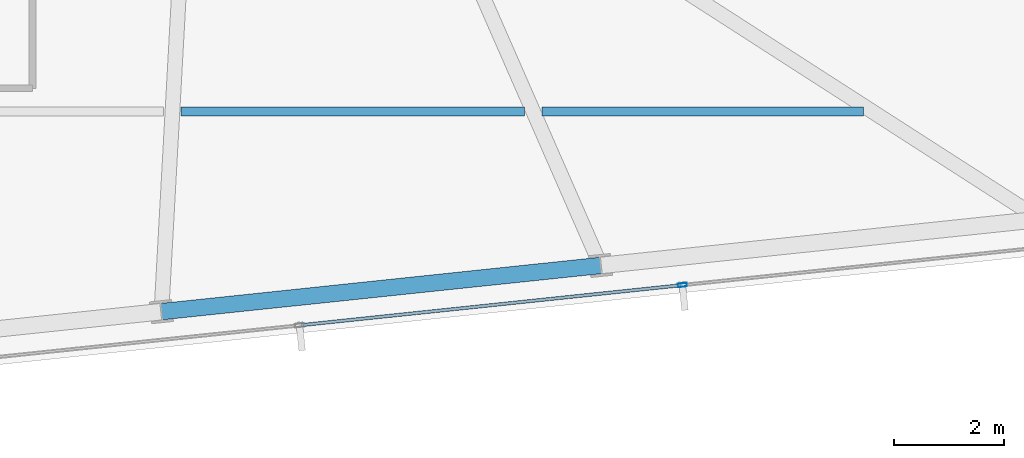
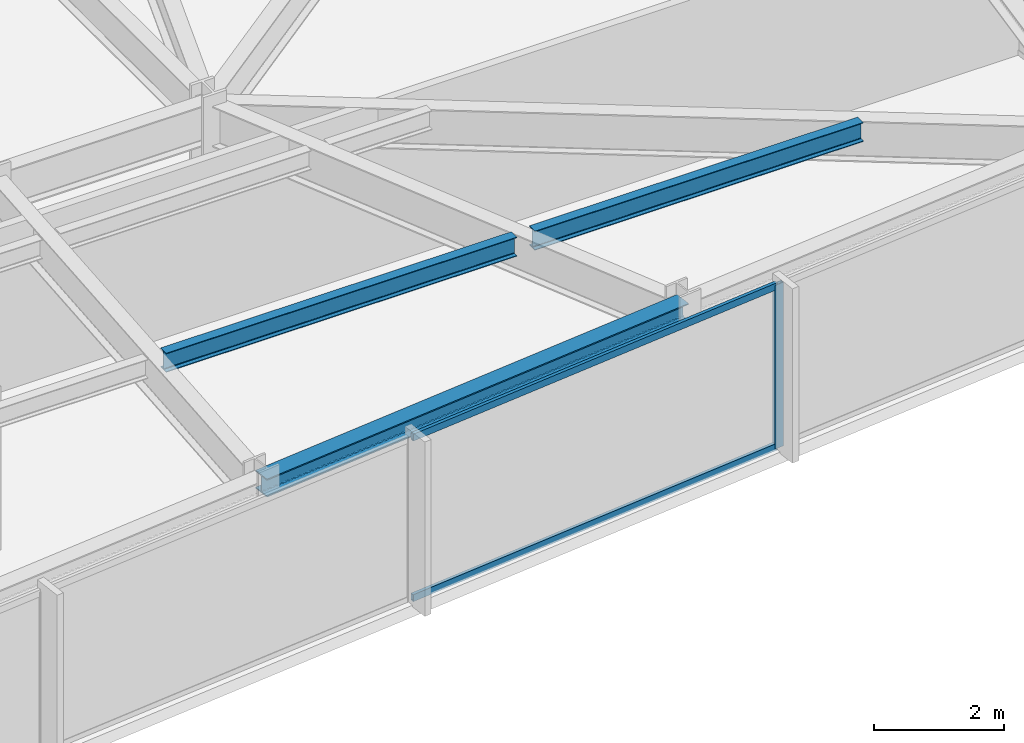
# One storey, part 15 of 33: 3 beams, 3 members, 1 element without a shape of its own.
"""IFC4 building model written with IfcOpenShell, lengths in metres."""

from ifc_helpers import new_model, si_unit, direction, frame, origin, origin_2d, place, context, subcontext, project, spatial, hollow_rectangle, i_section, extrude, material, material_profile, profile_set, type_object, element, aggregate, save


model = new_model("IFC4")

# Units and contexts
model_context = context("Model", 3, precision=1e-05, world=origin(), true_north=direction((0.0, 1.0)))
body_context = subcontext(model_context, "Body", "Model", "MODEL_VIEW")
ifc_project = project(units=[si_unit("LENGTHUNIT", "METRE"), si_unit("AREAUNIT", "SQUARE_METRE"), si_unit("VOLUMEUNIT", "CUBIC_METRE"), si_unit("PLANEANGLEUNIT", "RADIAN"), si_unit("MASSUNIT", "GRAM", prefix="KILO")], contexts=[model_context])

# Site, building, storey
site_placement = place(None, origin())
site = spatial("IfcSite", under=ifc_project, at=site_placement, CompositionType="ELEMENT")
building_placement = place(site_placement, origin())
building = spatial("IfcBuilding", under=site, at=building_placement, Name="Yelkora Congress Tower", CompositionType="ELEMENT")
storey_placement = place(building_placement, frame((0.0, 0.0, 224.300048828125)))
storey = spatial("IfcBuildingStorey", under=building, at=storey_placement, Name="L62", CompositionType="ELEMENT", Elevation=224.300048828125)

# Beams
ifc_material_1 = material(Name="Steel S355J2", Category="steel")
ifc_material_profile_1 = material_profile(ifc_material_1, i_section(OverallWidth=0.169921875, OverallDepth=0.360107421875, WebThickness=0.008056640625, FlangeThickness=0.0126953125, FilletRadius=0.01806640625, at=origin_2d()), Name="IPE 360")
ifc_profile_set_1 = profile_set([ifc_material_profile_1], Name="Steel S355J2")
beam_type_1 = type_object("IfcBeamType", Name="BM-JOIST-IPE360", PredefinedType="JOIST", material=ifc_profile_set_1)
beam_1_placement = place(storey_placement, frame((53.616455078125, 19.678466796875, 2.89990234375), z_axis=(1.0, 0.0, 0.0), x_axis=(0.0, 1.0, 0.0)))
element("IfcBeam", 1, at=beam_1_placement, inside=storey, type_object=beam_type_1, Name="L62 Composite Floor Joist 7", PredefinedType="JOIST", context=body_context, shape_type="SweptSolid", body=[
    extrude(i_section(OverallWidth=0.169921875, OverallDepth=0.360107421875, WebThickness=0.008056640625, FlangeThickness=0.0126953125, FilletRadius=0.01806640625, at=origin_2d()), origin(), (0.0, 0.0, 1.0), 6.2421875),
])
beam_2_placement = place(storey_placement, frame((60.1787109375, 19.678466796875, 2.89990234375), z_axis=(1.0, 0.0, 0.0), x_axis=(0.0, 1.0, 0.0)))
element("IfcBeam", 2, at=beam_2_placement, inside=storey, type_object=beam_type_1, Name="L62 Composite Floor Joist 8", PredefinedType="JOIST", context=body_context, shape_type="SweptSolid", body=[
    extrude(i_section(OverallWidth=0.169921875, OverallDepth=0.360107421875, WebThickness=0.008056640625, FlangeThickness=0.0126953125, FilletRadius=0.01806640625, at=origin_2d()), origin(), (0.0, 0.0, 1.0), 5.84619140625),
])
ifc_material_profile_2 = material_profile(ifc_material_1, i_section(OverallWidth=0.300048828125, OverallDepth=0.340087890625, WebThickness=0.011962890625, FlangeThickness=0.021484375, FilletRadius=0.027099609375, at=origin_2d()), Name="HEB 340")
ifc_profile_set_2 = profile_set([ifc_material_profile_2], Name="Steel S355J2")
beam_type_2 = type_object("IfcBeamType", Name="BM-SPAN-HEB340", PredefinedType="SPANDREL", material=ifc_profile_set_2)
beam_3_placement = place(storey_placement, frame((53.25634765625, 16.037353515625, 2.909912109375), z_axis=(0.994520097542, 0.104545567032, 0.0), x_axis=(-0.104545567032, 0.994520097542, 0.0)))
element("IfcBeam", 3, at=beam_3_placement, inside=storey, type_object=beam_type_2, Name="L62 Perimeter Beam 7", PredefinedType="SPANDREL", context=body_context, shape_type="SweptSolid", body=[
    extrude(i_section(OverallWidth=0.300048828125, OverallDepth=0.340087890625, WebThickness=0.011962890625, FlangeThickness=0.021484375, FilletRadius=0.027099609375, at=origin_2d()), origin(), (0.0, 0.0, 1.0), 8.033203125),
])

# Curtain wall, members
ifc_material_2 = material(Name="Anodised aluminium and insulated glass", Category="aluminium")
curtain_wall_type = type_object("IfcCurtainWallType", Name="CW-SYS-B4", PredefinedType="NOTDEFINED", material=ifc_material_2)
curtain_wall_placement = place(storey_placement, origin())
curtain_wall = element("IfcCurtainWall", 4, at=curtain_wall_placement, inside=storey, type_object=curtain_wall_type, Name="L62 Unitised Curtain Wall 20", PredefinedType="NOTDEFINED")
ifc_material_3 = material(Name="Anodised aluminium 6063-T6", Category="aluminium")
ifc_material_profile_3 = material_profile(ifc_material_3, hollow_rectangle(XDim=0.06494140625, YDim=0.159912109375, WallThickness=0.00390625, at=origin_2d()), Name="ALU 65x160x4")
ifc_profile_set_3 = profile_set([ifc_material_profile_3], Name="Anodised aluminium 6063-T6")
member_type_1 = type_object("IfcMemberType", Name="MEM-ML-B4", PredefinedType="MULLION", material=ifc_profile_set_3)
member_1_placement = place(storey_placement, frame((62.731689453125, 16.5205078125, 0.0), z_axis=(0.0, 0.0, 1.0), x_axis=(0.104526664994, -0.994522084373, 0.0)))
member_1 = element("IfcMember", 5, at=member_1_placement, type_object=member_type_1, Name="CW-B4 mullion 2", PredefinedType="MULLION", context=body_context, shape_type="SweptSolid", body=[
    extrude(hollow_rectangle(XDim=0.06494140625, YDim=0.159912109375, WallThickness=0.00390625, at=origin_2d()), origin(), (0.0, 0.0, 1.0), 3.079833984375),
])
ifc_material_profile_4 = material_profile(ifc_material_3, hollow_rectangle(XDim=0.06005859375, YDim=0.1298828125, WallThickness=0.00390625, at=origin_2d()), Name="ALU 60x130x4")
ifc_profile_set_4 = profile_set([ifc_material_profile_4], Name="Anodised aluminium 6063-T6")
member_type_2 = type_object("IfcMemberType", Name="MEM-TR-B4", PredefinedType="USERDEFINED", material=ifc_profile_set_4)
member_2_placement = place(storey_placement, frame((62.69921875, 16.51708984375, 0.030029296875), z_axis=(-0.994519904787, -0.104547400648, 0.0), x_axis=(0.104547400648, -0.994519904787, 0.0)))
member_2 = element("IfcMember", 6, at=member_2_placement, type_object=member_type_2, Name="CW-B4 transom 2.1", ObjectType="TRANSOM", PredefinedType="USERDEFINED", context=body_context, shape_type="SweptSolid", body=[
    extrude(hollow_rectangle(XDim=0.06005859375, YDim=0.1298828125, WallThickness=0.00390625, at=origin_2d()), origin(), (0.0, 0.0, 1.0), 6.93798828125),
])
member_3_placement = place(storey_placement, frame((62.69921875, 16.51708984375, 3.050048828125), z_axis=(-0.994519904787, -0.104547400648, 0.0), x_axis=(0.104547400648, -0.994519904787, 0.0)))
member_3 = element("IfcMember", 7, at=member_3_placement, type_object=member_type_2, Name="CW-B4 transom 2.2", ObjectType="TRANSOM", PredefinedType="USERDEFINED", context=body_context, shape_type="SweptSolid", body=[
    extrude(hollow_rectangle(XDim=0.06005859375, YDim=0.1298828125, WallThickness=0.00390625, at=origin_2d()), origin(), (0.0, 0.0, 1.0), 6.93798828125),
])
aggregate(curtain_wall, [member_1, member_2, member_3])

save(model, "model.ifc")
